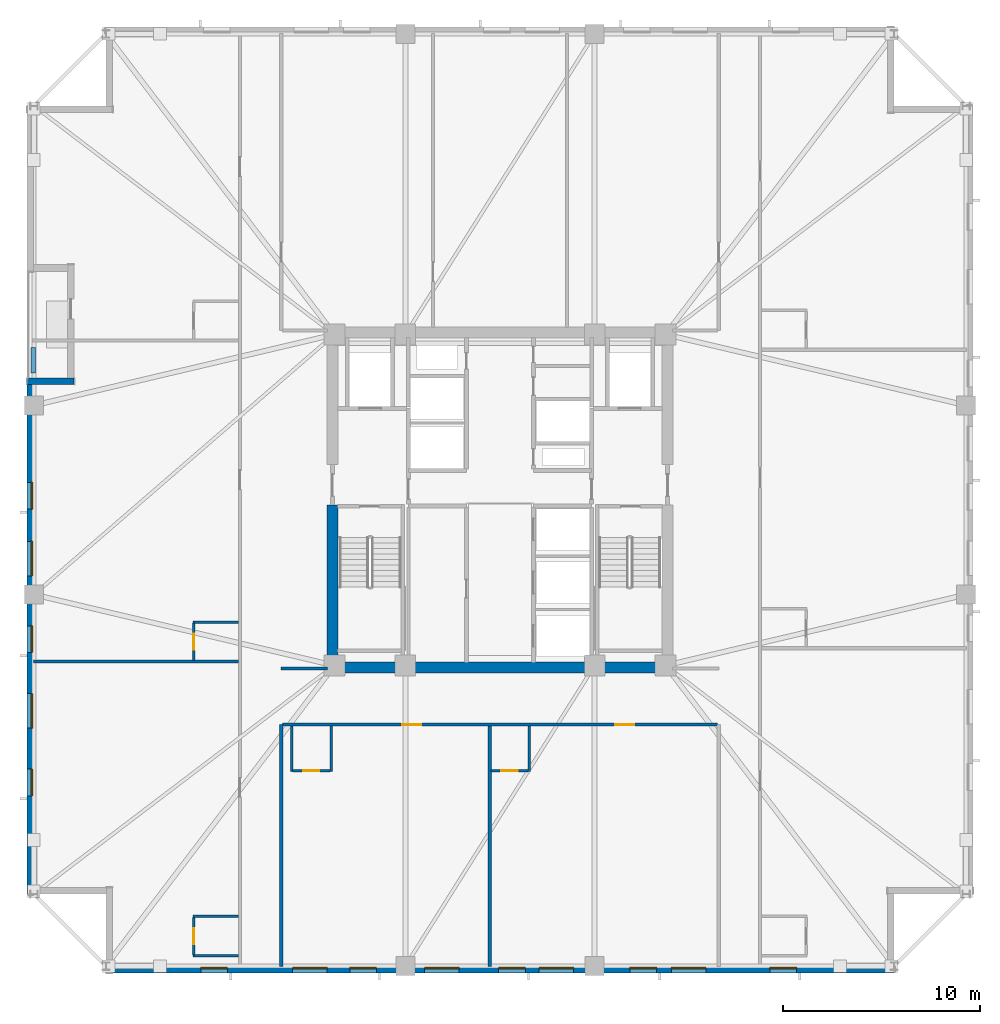
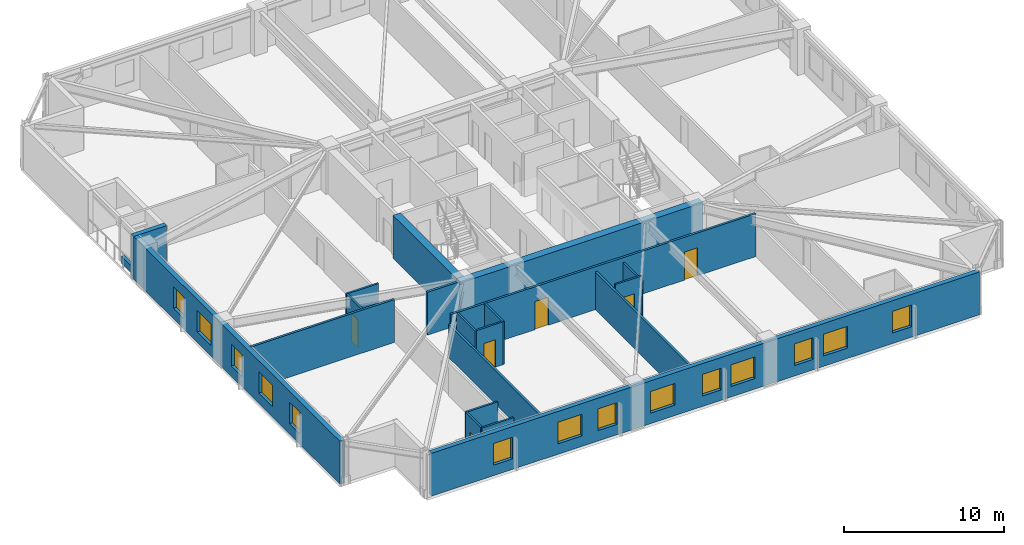
# One storey, part 2 of 10: 21 walls, 14 windows, 6 doors, 20 openings.
"""IFC4 building model written with IfcOpenShell, lengths in metres."""

from ifc_helpers import new_model, si_unit, direction, frame, frame_2d, origin, place, context, subcontext, project, spatial, rectangle, extrude, material, layer, layer_set, type_object, element, fill, save


model = new_model("IFC4")

# Units and contexts
model_context = context("Model", 3, precision=1e-05, world=origin(), true_north=direction((0.0, 1.0)))
body_context = subcontext(model_context, "Body", "Model", "MODEL_VIEW")
ifc_project = project(units=[si_unit("LENGTHUNIT", "METRE"), si_unit("AREAUNIT", "SQUARE_METRE"), si_unit("VOLUMEUNIT", "CUBIC_METRE"), si_unit("PLANEANGLEUNIT", "RADIAN"), si_unit("MASSUNIT", "GRAM", prefix="KILO")], contexts=[model_context])

# Site, building, storey
site_placement = place(None, origin())
site = spatial("IfcSite", under=ifc_project, at=site_placement, CompositionType="ELEMENT")
building_placement = place(site_placement, origin())
building = spatial("IfcBuilding", under=site, at=building_placement, Name="Cairnveth Concourse Tower", CompositionType="ELEMENT")
storey_placement = place(building_placement, frame((0.0, 0.0, 113.0)))
storey = spatial("IfcBuildingStorey", under=building, at=storey_placement, Name="L30", CompositionType="ELEMENT", Elevation=113.0)

# Walls
ifc_material_1 = material(Name="Gypsum Plasterboard Partition", Category="gypsum")
ifc_layer_1 = layer(ifc_material_1, 0.159912109375)
ifc_layer_set_1 = layer_set([ifc_layer_1], Name="Gypsum Plasterboard Partition")
wall_type_1 = type_object("IfcWallType", Name="ACOUSTIC PARTY WALL 180", PredefinedType="PARTITIONING", material=ifc_layer_set_1)
wall_1_placement = place(storey_placement, frame((40.89990234375, 15.324951171875, 0.0), z_axis=(0.0, 0.0, 1.0), x_axis=(0.0, 1.0, 0.0)))
element("IfcWall", 1, at=wall_1_placement, inside=storey, type_object=wall_type_1, Name="Interior Wall IW-L30-037", PredefinedType="PARTITIONING", context=body_context, shape_type="SweptSolid", body=[
    extrude(rectangle(XDim=12.275146484375, YDim=0.159912109375, at=frame_2d((6.1376953125, 0.0))), origin(), (0.0, 0.0, 1.0), 2.554931640625),
])
wall_2_placement = place(storey_placement, frame((40.89990234375, 30.449951171875, 0.0), z_axis=(0.0, 0.0, 1.0), x_axis=(1.0, 0.0, 0.0)))
element("IfcWall", 2, at=wall_2_placement, inside=storey, type_object=wall_type_1, Name="Interior Wall IW-L30-039", PredefinedType="PARTITIONING", context=body_context, shape_type="SweptSolid", body=[
    extrude(rectangle(XDim=2.335205078125, YDim=0.159912109375, at=frame_2d((1.16748046875, 0.0))), origin(), (0.0, 0.0, 1.0), 3.280029296875),
])

# Wall, openings, doors
wall_3_placement = place(storey_placement, frame((40.965087890625, 27.60009765625, 0.0), z_axis=(0.0, 0.0, 1.0), x_axis=(1.0, 0.0, 0.0)))
wall_3 = element("IfcWall", 3, at=wall_3_placement, inside=storey, type_object=wall_type_1, Name="Interior Wall IW-L30-046", PredefinedType="PARTITIONING", context=body_context, shape_type="SweptSolid", body=[
    extrude(rectangle(XDim=22.06982421875, YDim=0.159912109375, at=frame_2d((11.034912109375, 0.0))), origin(), (0.0, 0.0, 1.0), 3.280029296875),
])
opening_1_placement = place(wall_3_placement, frame((6.0849609375, 0.0, 0.0)))
opening_1 = element("IfcOpeningElement", 4, at=opening_1_placement, cuts=wall_3, Name="Opening ID09", PredefinedType="OPENING", context=body_context, shape_type="SweptSolid", body=[
    extrude(rectangle(XDim=0.9599609375, YDim=2.14990234375, at=frame_2d((0.47998046875, 1.074951171875))), frame((0.0, 0.08984375, 0.0), z_axis=(0.0, -1.0, 0.0), x_axis=(1.0, 0.0, 0.0)), (0.0, 0.0, 1.0), 0.179931640625),
])
opening_2_placement = place(wall_3_placement, frame((16.8798828125, 0.0, 0.0)))
opening_2 = element("IfcOpeningElement", 5, at=opening_2_placement, cuts=wall_3, Name="Opening ID09", PredefinedType="OPENING", context=body_context, shape_type="SweptSolid", body=[
    extrude(rectangle(XDim=0.9599609375, YDim=2.14990234375, at=frame_2d((0.47998046875, 1.074951171875))), frame((0.0, 0.08984375, 0.0), z_axis=(0.0, -1.0, 0.0), x_axis=(1.0, 0.0, 0.0)), (0.0, 0.0, 1.0), 0.179931640625),
])
ifc_material_2 = material(Name="Solid Core Hardwood Timber Leaf", Category="wood")
door_type_1 = type_object("IfcDoorType", Name="HOTEL ENTRANCE DOOR 960X2150", OperationType="NOTDEFINED", PredefinedType="DOOR", material=ifc_material_2)
door_1_placement = place(opening_1_placement, origin())
door_1 = element("IfcDoor", 6, at=door_1_placement, inside=storey, type_object=door_type_1, Name="Hotel Room Door L30-S1", OperationType="SINGLE_SWING_LEFT", OverallHeight=2.14990234375, OverallWidth=0.9599609375, PredefinedType="DOOR", context=body_context, shape_type="SweptSolid", body=[
    extrude(rectangle(XDim=0.9599609375, YDim=2.14990234375, at=frame_2d((0.47998046875, 1.074951171875))), frame((0.0, 0.02490234375, 0.0), z_axis=(0.0, -1.0, 0.0), x_axis=(1.0, 0.0, 0.0)), (0.0, 0.0, 1.0), 0.050048828125),
])
fill(opening_1, door_1)
door_2_placement = place(opening_2_placement, origin())
door_2 = element("IfcDoor", 7, at=door_2_placement, inside=storey, type_object=door_type_1, Name="Hotel Room Door L30-S2", OperationType="SINGLE_SWING_LEFT", OverallHeight=2.14990234375, OverallWidth=0.9599609375, PredefinedType="DOOR", context=body_context, shape_type="SweptSolid", body=[
    extrude(rectangle(XDim=0.9599609375, YDim=2.14990234375, at=frame_2d((0.47998046875, 1.074951171875))), frame((0.0, 0.02490234375, 0.0), z_axis=(0.0, -1.0, 0.0), x_axis=(1.0, 0.0, 0.0)), (0.0, 0.0, 1.0), 0.050048828125),
])
fill(opening_2, door_2)

# Walls
wall_4_placement = place(storey_placement, frame((51.47998046875, 15.324951171875, 0.0), z_axis=(0.0, 0.0, 1.0), x_axis=(0.0, 1.0, 0.0)))
element("IfcWall", 8, at=wall_4_placement, inside=storey, type_object=wall_type_1, Name="Interior Wall IW-L30-052", PredefinedType="PARTITIONING", context=body_context, shape_type="SweptSolid", body=[
    extrude(rectangle(XDim=12.195068359375, YDim=0.159912109375, at=frame_2d((6.09765625, 0.0))), origin(), (0.0, 0.0, 1.0), 2.89599609375),
])
wall_5_placement = place(storey_placement, frame((28.324951171875, 30.802001953125, 0.0), z_axis=(0.0, 0.0, 1.0), x_axis=(1.0, 0.0, 0.0)))
element("IfcWall", 9, at=wall_5_placement, inside=storey, type_object=wall_type_1, Name="Interior Wall IW-L30-058", PredefinedType="PARTITIONING", context=body_context, shape_type="SweptSolid", body=[
    extrude(rectangle(XDim=10.39501953125, YDim=0.159912109375, at=frame_2d((5.197509765625, 0.0))), origin(), (0.0, 0.0, 1.0), 3.280029296875),
])
ifc_material_3 = material(Name="Concrete N80 (80 MPa)", Category="concrete")
ifc_layer_2 = layer(ifc_material_3, 0.550048828125)
ifc_layer_set_2 = layer_set([ifc_layer_2], Name="Concrete N80 (80 MPa)")
wall_type_2 = type_object("IfcWallType", Name="CORE SHEAR WALL 550", PredefinedType="SHEAR", material=ifc_layer_set_2)
wall_6_placement = place(storey_placement, frame((43.22509765625, 30.5, 0.0), z_axis=(0.0, 0.0, 1.0), x_axis=(1.0, 0.0, 0.0)))
element("IfcWall", 10, at=wall_6_placement, inside=storey, type_object=wall_type_2, Name="Core South Shear Wall L30", PredefinedType="SHEAR", context=body_context, shape_type="SweptSolid", body=[
    extrude(rectangle(XDim=17.5498046875, YDim=0.550048828125, at=frame_2d((8.77490234375, 0.0))), origin(), (0.0, 0.0, 1.0), 3.280029296875),
])
wall_7_placement = place(storey_placement, frame((43.5, 30.764892578125, 0.0), z_axis=(0.0, 0.0, 1.0), x_axis=(0.0, 1.0, 0.0)))
element("IfcWall", 11, at=wall_7_placement, inside=storey, type_object=wall_type_2, Name="Core West Shear Wall S L30", PredefinedType="SHEAR", context=body_context, shape_type="SweptSolid", body=[
    extrude(rectangle(XDim=7.985107421875, YDim=0.550048828125, at=frame_2d((3.99267578125, 0.0))), origin(), (0.0, 0.0, 1.0), 3.280029296875),
])
ifc_material_4 = material(Name="Dressed Melbourne Bluestone Cladding", Category="masonry")
ifc_layer_3 = layer(ifc_material_4, 0.219970703125)
ifc_layer_set_3 = layer_set([ifc_layer_3], Name="Dressed Melbourne Bluestone Cladding")
wall_type_3 = type_object("IfcWallType", Name="TERRACE PLANTER CURB WALL 220", PredefinedType="PARAPET", material=ifc_layer_set_3)
wall_8_placement = place(storey_placement, frame((28.320068359375, 45.449951171875, 0.0), z_axis=(0.0, 0.0, 1.0), x_axis=(0.0, 1.0, 0.0)))
element("IfcWall", 12, at=wall_8_placement, inside=storey, type_object=wall_type_3, Name="Exterior Wall PLNT-L30-TERR", PredefinedType="PARAPET", context=body_context, shape_type="SweptSolid", body=[
    extrude(rectangle(XDim=1.300048828125, YDim=0.219970703125, at=frame_2d((0.64990234375, 0.0))), origin(), (0.0, 0.0, 1.0), 0.550048828125),
])
ifc_layer_4 = layer(ifc_material_1, 0.1298828125)
ifc_layer_set_4 = layer_set([ifc_layer_4], Name="Gypsum Plasterboard Partition")
wall_type_4 = type_object("IfcWallType", Name="WET AREA PARTITION 140", PredefinedType="PLUMBINGWALL", material=ifc_layer_set_4)
for number, where, z_axis, x_axis, name in (
    (13, (41.429931640625, 25.219970703125, 0.0), (0.0, 0.0, 1.0), (0.0, 1.0, 0.0), "Interior Wall IW-L30-049"),
    (14, (43.429931640625, 25.219970703125, 0.0), (0.0, 0.0, 1.0), (0.0, 1.0, 0.0), "Interior Wall IW-L30-050"),
):
    element("IfcWall", number, at=place(storey_placement, frame(where, z_axis=z_axis, x_axis=x_axis)), inside=storey, type_object=wall_type_4, Name=name, PredefinedType="PLUMBINGWALL", context=body_context, shape_type="SweptSolid", body=[
        extrude(rectangle(XDim=2.31494140625, YDim=0.1298828125, at=frame_2d((1.157470703125, 0.0))), origin(), (0.0, 0.0, 1.0), 3.280029296875),
    ])

# Wall, opening, door
wall_9_placement = place(storey_placement, frame((41.47998046875, 25.27001953125, 0.0), z_axis=(0.0, 0.0, 1.0), x_axis=(1.0, 0.0, 0.0)))
wall_9 = element("IfcWall", 15, at=wall_9_placement, inside=storey, type_object=wall_type_4, Name="Interior Wall IW-L30-051", PredefinedType="PLUMBINGWALL", context=body_context, shape_type="SweptSolid", body=[
    extrude(rectangle(XDim=1.89990234375, YDim=0.1298828125, at=frame_2d((0.949951171875, 0.0))), origin(), (0.0, 0.0, 1.0), 3.280029296875),
])
opening_3_placement = place(wall_9_placement, frame((0.5400390625, 0.0, 0.0)))
opening_3 = element("IfcOpeningElement", 16, at=opening_3_placement, cuts=wall_9, Name="Opening ID22", PredefinedType="OPENING", context=body_context, shape_type="SweptSolid", body=[
    extrude(rectangle(XDim=0.820068359375, YDim=2.10009765625, at=frame_2d((0.41015625, 1.050048828125))), frame((0.0, 0.074951171875, 0.0), z_axis=(0.0, -1.0, 0.0), x_axis=(1.0, 0.0, 0.0)), (0.0, 0.0, 1.0), 0.14990234375),
])
door_type_2 = type_object("IfcDoorType", Name="INTERIOR WC DOOR 820X2100", OperationType="NOTDEFINED", PredefinedType="DOOR", material=ifc_material_2)
door_3_placement = place(opening_3_placement, origin())
door_3 = element("IfcDoor", 17, at=door_3_placement, inside=storey, type_object=door_type_2, Name="En-Suite Door L30-S1", OperationType="SINGLE_SWING_RIGHT", OverallHeight=2.10009765625, OverallWidth=0.820068359375, PredefinedType="DOOR", context=body_context, shape_type="SweptSolid", body=[
    extrude(rectangle(XDim=0.820068359375, YDim=2.10009765625, at=frame_2d((0.41015625, 1.050048828125))), frame((0.0, 0.02490234375, 0.0), z_axis=(0.0, -1.0, 0.0), x_axis=(1.0, 0.0, 0.0)), (0.0, 0.0, 1.0), 0.050048828125),
])
fill(opening_3, door_3)

# Wall
wall_10_placement = place(storey_placement, frame((53.47998046875, 25.219970703125, 0.0), z_axis=(0.0, 0.0, 1.0), x_axis=(0.0, 1.0, 0.0)))
element("IfcWall", 18, at=wall_10_placement, inside=storey, type_object=wall_type_4, Name="Interior Wall IW-L30-053", PredefinedType="PLUMBINGWALL", context=body_context, shape_type="SweptSolid", body=[
    extrude(rectangle(XDim=2.31494140625, YDim=0.1298828125, at=frame_2d((1.157470703125, 0.0))), origin(), (0.0, 0.0, 1.0), 2.89599609375),
])

# Wall, opening, door
wall_11_placement = place(storey_placement, frame((51.544921875, 25.27001953125, 0.0), z_axis=(0.0, 0.0, 1.0), x_axis=(1.0, 0.0, 0.0)))
wall_11 = element("IfcWall", 19, at=wall_11_placement, inside=storey, type_object=wall_type_4, Name="Interior Wall IW-L30-054", PredefinedType="PLUMBINGWALL", context=body_context, shape_type="SweptSolid", body=[
    extrude(rectangle(XDim=1.885009765625, YDim=0.1298828125, at=frame_2d((0.9423828125, 0.0))), origin(), (0.0, 0.0, 1.0), 3.280029296875),
])
opening_4_placement = place(wall_11_placement, frame((0.52490234375, 0.0, 0.0)))
opening_4 = element("IfcOpeningElement", 20, at=opening_4_placement, cuts=wall_11, Name="Opening ID22", PredefinedType="OPENING", context=body_context, shape_type="SweptSolid", body=[
    extrude(rectangle(XDim=0.820068359375, YDim=2.10009765625, at=frame_2d((0.41015625, 1.050048828125))), frame((0.0, 0.074951171875, 0.0), z_axis=(0.0, -1.0, 0.0), x_axis=(1.0, 0.0, 0.0)), (0.0, 0.0, 1.0), 0.14990234375),
])
door_4_placement = place(opening_4_placement, origin())
door_4 = element("IfcDoor", 21, at=door_4_placement, inside=storey, type_object=door_type_2, Name="En-Suite Door L30-S2", OperationType="SINGLE_SWING_RIGHT", OverallHeight=2.10009765625, OverallWidth=0.820068359375, PredefinedType="DOOR", context=body_context, shape_type="SweptSolid", body=[
    extrude(rectangle(XDim=0.820068359375, YDim=2.10009765625, at=frame_2d((0.41015625, 1.050048828125))), frame((0.0, 0.02490234375, 0.0), z_axis=(0.0, -1.0, 0.0), x_axis=(1.0, 0.0, 0.0)), (0.0, 0.0, 1.0), 0.050048828125),
])
fill(opening_4, door_4)

# Walls
for number, where, z_axis, x_axis, name in (
    (22, (36.419921875, 15.8701171875, 0.0), (0.0, 0.0, 1.0), (1.0, 0.0, 0.0), "Interior Wall IW-L30-055"),
    (23, (36.419921875, 17.8701171875, 0.0), (0.0, 0.0, 1.0), (1.0, 0.0, 0.0), "Interior Wall IW-L30-056"),
):
    element("IfcWall", number, at=place(storey_placement, frame(where, z_axis=z_axis, x_axis=x_axis)), inside=storey, type_object=wall_type_4, Name=name, PredefinedType="PLUMBINGWALL", context=body_context, shape_type="SweptSolid", body=[
        extrude(rectangle(XDim=2.315185546875, YDim=0.1298828125, at=frame_2d((1.15771484375, 0.0))), origin(), (0.0, 0.0, 1.0), 3.280029296875),
    ])

# Wall, opening, door
wall_12_placement = place(storey_placement, frame((36.469970703125, 15.919921875, 0.0), z_axis=(0.0, 0.0, 1.0), x_axis=(0.0, 1.0, 0.0)))
wall_12 = element("IfcWall", 24, at=wall_12_placement, inside=storey, type_object=wall_type_4, Name="Interior Wall IW-L30-057", PredefinedType="PLUMBINGWALL", context=body_context, shape_type="SweptSolid", body=[
    extrude(rectangle(XDim=1.900146484375, YDim=0.1298828125, at=frame_2d((0.9501953125, 0.0))), origin(), (0.0, 0.0, 1.0), 3.280029296875),
])
opening_5_placement = place(wall_12_placement, frame((0.5400390625, 0.0, 0.0)))
opening_5 = element("IfcOpeningElement", 25, at=opening_5_placement, cuts=wall_12, Name="Opening ID22", PredefinedType="OPENING", context=body_context, shape_type="SweptSolid", body=[
    extrude(rectangle(XDim=0.820068359375, YDim=2.10009765625, at=frame_2d((0.41015625, 1.050048828125))), frame((0.0, 0.074951171875, 0.0), z_axis=(0.0, -1.0, 0.0), x_axis=(1.0, 0.0, 0.0)), (0.0, 0.0, 1.0), 0.14990234375),
])
door_5_placement = place(opening_5_placement, origin())
door_5 = element("IfcDoor", 26, at=door_5_placement, inside=storey, type_object=door_type_2, Name="En-Suite Door L30-W1", OperationType="SINGLE_SWING_RIGHT", OverallHeight=2.10009765625, OverallWidth=0.820068359375, PredefinedType="DOOR", context=body_context, shape_type="SweptSolid", body=[
    extrude(rectangle(XDim=0.820068359375, YDim=2.10009765625, at=frame_2d((0.41015625, 1.050048828125))), frame((0.0, 0.02490234375, 0.0), z_axis=(0.0, -1.0, 0.0), x_axis=(1.0, 0.0, 0.0)), (0.0, 0.0, 1.0), 0.050048828125),
])
fill(opening_5, door_5)

# Wall
wall_13_placement = place(storey_placement, frame((36.419921875, 32.802001953125, 0.0), z_axis=(0.0, 0.0, 1.0), x_axis=(1.0, 0.0, 0.0)))
element("IfcWall", 27, at=wall_13_placement, inside=storey, type_object=wall_type_4, Name="Interior Wall IW-L30-059", PredefinedType="PLUMBINGWALL", context=body_context, shape_type="SweptSolid", body=[
    extrude(rectangle(XDim=2.315185546875, YDim=0.1298828125, at=frame_2d((1.15771484375, 0.0))), origin(), (0.0, 0.0, 1.0), 3.280029296875),
])

# Wall, opening, door
wall_14_placement = place(storey_placement, frame((36.469970703125, 30.866943359375, 0.0), z_axis=(0.0, 0.0, 1.0), x_axis=(0.0, 1.0, 0.0)))
wall_14 = element("IfcWall", 28, at=wall_14_placement, inside=storey, type_object=wall_type_4, Name="Interior Wall IW-L30-060", PredefinedType="PLUMBINGWALL", context=body_context, shape_type="SweptSolid", body=[
    extrude(rectangle(XDim=1.885009765625, YDim=0.1298828125, at=frame_2d((0.9423828125, 0.0))), origin(), (0.0, 0.0, 1.0), 3.280029296875),
])
opening_6_placement = place(wall_14_placement, frame((0.52490234375, 0.0, 0.0)))
opening_6 = element("IfcOpeningElement", 29, at=opening_6_placement, cuts=wall_14, Name="Opening ID22", PredefinedType="OPENING", context=body_context, shape_type="SweptSolid", body=[
    extrude(rectangle(XDim=0.820068359375, YDim=2.10009765625, at=frame_2d((0.41015625, 1.050048828125))), frame((0.0, 0.074951171875, 0.0), z_axis=(0.0, -1.0, 0.0), x_axis=(1.0, 0.0, 0.0)), (0.0, 0.0, 1.0), 0.14990234375),
])
door_6_placement = place(opening_6_placement, origin())
door_6 = element("IfcDoor", 30, at=door_6_placement, inside=storey, type_object=door_type_2, Name="En-Suite Door L30-W2", OperationType="SINGLE_SWING_RIGHT", OverallHeight=2.10009765625, OverallWidth=0.820068359375, PredefinedType="DOOR", context=body_context, shape_type="SweptSolid", body=[
    extrude(rectangle(XDim=0.820068359375, YDim=2.10009765625, at=frame_2d((0.41015625, 1.050048828125))), frame((0.0, 0.02490234375, 0.0), z_axis=(0.0, -1.0, 0.0), x_axis=(1.0, 0.0, 0.0)), (0.0, 0.0, 1.0), 0.050048828125),
])
fill(opening_6, door_6)

# Wall, openings, windows
ifc_material_5 = material(Name="Hawthorn Red-Ochre Fired Clay Brick Masonry", Category="masonry")
ifc_layer_5 = layer(ifc_material_5, 0.340087890625)
ifc_layer_set_5 = layer_set([ifc_layer_5], Name="Hawthorn Red-Ochre Fired Clay Brick Masonry")
wall_type_5 = type_object("IfcWallType", Name="ZONE 2 BRICK PIER SPANDREL WALL 340", PredefinedType="SOLIDWALL", material=ifc_layer_set_5)
wall_15_placement = place(storey_placement, frame((72.0, 15.169921875, 0.0), z_axis=(0.0, 0.0, 1.0), x_axis=(-1.0, 0.0, 0.0)))
wall_15 = element("IfcWall", 31, at=wall_15_placement, inside=storey, type_object=wall_type_5, Name="Exterior Wall EW-L30-S09", PredefinedType="SOLIDWALL", context=body_context, shape_type="SweptSolid", body=[
    extrude(rectangle(XDim=39.681884765625, YDim=0.340087890625, at=frame_2d((19.8408203125, 0.0))), origin(), (0.0, 0.0, 1.0), 3.280029296875),
])
opening_7_placement = place(wall_15_placement, frame((4.951904296875, 0.0, 0.800048828125)))
opening_7 = element("IfcOpeningElement", 32, at=opening_7_placement, cuts=wall_15, Name="Opening W02", PredefinedType="OPENING", context=body_context, shape_type="SweptSolid", body=[
    extrude(rectangle(XDim=1.35009765625, YDim=1.659912109375, at=frame_2d((0.675048828125, 0.830078125))), frame((0.0, 0.179931640625, 0.0), z_axis=(0.0, -1.0, 0.0), x_axis=(1.0, 0.0, 0.0)), (0.0, 0.0, 1.0), 0.360107421875),
])
opening_8_placement = place(wall_15_placement, frame((9.555419921875, 0.0, 0.800048828125)))
opening_8 = element("IfcOpeningElement", 33, at=opening_8_placement, cuts=wall_15, Name="Opening W06", PredefinedType="OPENING", context=body_context, shape_type="SweptSolid", body=[
    extrude(rectangle(XDim=1.75, YDim=1.659912109375, at=frame_2d((0.875, 0.830078125))), frame((0.0, 0.179931640625, 0.0), z_axis=(0.0, -1.0, 0.0), x_axis=(1.0, 0.0, 0.0)), (0.0, 0.0, 1.0), 0.360107421875),
])
opening_9_placement = place(wall_15_placement, frame((12.058837890625, 0.0, 0.800048828125)))
opening_9 = element("IfcOpeningElement", 34, at=opening_9_placement, cuts=wall_15, Name="Opening W02", PredefinedType="OPENING", context=body_context, shape_type="SweptSolid", body=[
    extrude(rectangle(XDim=1.35009765625, YDim=1.659912109375, at=frame_2d((0.675048828125, 0.830078125))), frame((0.0, 0.179931640625, 0.0), z_axis=(0.0, -1.0, 0.0), x_axis=(1.0, 0.0, 0.0)), (0.0, 0.0, 1.0), 0.360107421875),
])
opening_10_placement = place(wall_15_placement, frame((16.262451171875, 0.0, 0.800048828125)))
opening_10 = element("IfcOpeningElement", 35, at=opening_10_placement, cuts=wall_15, Name="Opening W06", PredefinedType="OPENING", context=body_context, shape_type="SweptSolid", body=[
    extrude(rectangle(XDim=1.75, YDim=1.659912109375, at=frame_2d((0.875, 0.830078125))), frame((0.0, 0.179931640625, 0.0), z_axis=(0.0, -1.0, 0.0), x_axis=(1.0, 0.0, 0.0)), (0.0, 0.0, 1.0), 0.360107421875),
])
opening_11_placement = place(wall_15_placement, frame((18.716064453125, 0.0, 0.800048828125)))
opening_11 = element("IfcOpeningElement", 36, at=opening_11_placement, cuts=wall_15, Name="Opening W02", PredefinedType="OPENING", context=body_context, shape_type="SweptSolid", body=[
    extrude(rectangle(XDim=1.35009765625, YDim=1.659912109375, at=frame_2d((0.675048828125, 0.830078125))), frame((0.0, 0.179931640625, 0.0), z_axis=(0.0, -1.0, 0.0), x_axis=(1.0, 0.0, 0.0)), (0.0, 0.0, 1.0), 0.360107421875),
])
opening_12_placement = place(wall_15_placement, frame((22.069580078125, 0.0, 0.800048828125)))
opening_12 = element("IfcOpeningElement", 37, at=opening_12_placement, cuts=wall_15, Name="Opening W06", PredefinedType="OPENING", context=body_context, shape_type="SweptSolid", body=[
    extrude(rectangle(XDim=1.75, YDim=1.659912109375, at=frame_2d((0.875, 0.830078125))), frame((0.0, 0.179931640625, 0.0), z_axis=(0.0, -1.0, 0.0), x_axis=(1.0, 0.0, 0.0)), (0.0, 0.0, 1.0), 0.360107421875),
])
opening_13_placement = place(wall_15_placement, frame((26.273193359375, 0.0, 0.800048828125)))
opening_13 = element("IfcOpeningElement", 38, at=opening_13_placement, cuts=wall_15, Name="Opening W02", PredefinedType="OPENING", context=body_context, shape_type="SweptSolid", body=[
    extrude(rectangle(XDim=1.35009765625, YDim=1.659912109375, at=frame_2d((0.675048828125, 0.830078125))), frame((0.0, 0.179931640625, 0.0), z_axis=(0.0, -1.0, 0.0), x_axis=(1.0, 0.0, 0.0)), (0.0, 0.0, 1.0), 0.360107421875),
])
opening_14_placement = place(wall_15_placement, frame((28.776611328125, 0.0, 0.800048828125)))
opening_14 = element("IfcOpeningElement", 39, at=opening_14_placement, cuts=wall_15, Name="Opening W06", PredefinedType="OPENING", context=body_context, shape_type="SweptSolid", body=[
    extrude(rectangle(XDim=1.75, YDim=1.659912109375, at=frame_2d((0.875, 0.830078125))), frame((0.0, 0.179931640625, 0.0), z_axis=(0.0, -1.0, 0.0), x_axis=(1.0, 0.0, 0.0)), (0.0, 0.0, 1.0), 0.360107421875),
])
opening_15_placement = place(wall_15_placement, frame((33.830078125, 0.0, 0.800048828125)))
opening_15 = element("IfcOpeningElement", 40, at=opening_15_placement, cuts=wall_15, Name="Opening W02", PredefinedType="OPENING", context=body_context, shape_type="SweptSolid", body=[
    extrude(rectangle(XDim=1.35009765625, YDim=1.659912109375, at=frame_2d((0.675048828125, 0.830078125))), frame((0.0, 0.179931640625, 0.0), z_axis=(0.0, -1.0, 0.0), x_axis=(1.0, 0.0, 0.0)), (0.0, 0.0, 1.0), 0.360107421875),
])
ifc_material_6 = material(Name="Double Glazed Low-E Clear Glass", Category="glass")
window_type_1 = type_object("IfcWindowType", Name="DEEP-SET GOTHIC LANCET WINDOW 1350X1800", PartitioningType="DOUBLE_PANEL_VERTICAL", PredefinedType="WINDOW", material=ifc_material_6)
window_1_placement = place(opening_7_placement, origin())
window_1 = element("IfcWindow", 41, at=window_1_placement, inside=storey, type_object=window_type_1, Name="Gothic Lancet Window L30-9-1", OverallHeight=1.659912109375, OverallWidth=1.35009765625, PartitioningType="SINGLE_PANEL", PredefinedType="WINDOW", context=body_context, shape_type="SweptSolid", body=[
    extrude(rectangle(XDim=1.35009765625, YDim=1.659912109375, at=frame_2d((0.675048828125, 0.830078125))), frame((0.0, -0.050048828125, 0.0), z_axis=(0.0, -1.0, 0.0), x_axis=(1.0, 0.0, 0.0)), (0.0, 0.0, 1.0), 0.06005859375),
])
fill(opening_7, window_1)
window_2_placement = place(opening_9_placement, origin())
window_2 = element("IfcWindow", 42, at=window_2_placement, inside=storey, type_object=window_type_1, Name="Gothic Lancet Window L30-9-3", OverallHeight=1.659912109375, OverallWidth=1.35009765625, PartitioningType="SINGLE_PANEL", PredefinedType="WINDOW", context=body_context, shape_type="SweptSolid", body=[
    extrude(rectangle(XDim=1.35009765625, YDim=1.659912109375, at=frame_2d((0.675048828125, 0.830078125))), frame((0.0, -0.050048828125, 0.0), z_axis=(0.0, -1.0, 0.0), x_axis=(1.0, 0.0, 0.0)), (0.0, 0.0, 1.0), 0.06005859375),
])
fill(opening_9, window_2)
window_3_placement = place(opening_11_placement, origin())
window_3 = element("IfcWindow", 43, at=window_3_placement, inside=storey, type_object=window_type_1, Name="Gothic Lancet Window L30-9-5", OverallHeight=1.659912109375, OverallWidth=1.35009765625, PartitioningType="SINGLE_PANEL", PredefinedType="WINDOW", context=body_context, shape_type="SweptSolid", body=[
    extrude(rectangle(XDim=1.35009765625, YDim=1.659912109375, at=frame_2d((0.675048828125, 0.830078125))), frame((0.0, -0.050048828125, 0.0), z_axis=(0.0, -1.0, 0.0), x_axis=(1.0, 0.0, 0.0)), (0.0, 0.0, 1.0), 0.06005859375),
])
fill(opening_11, window_3)
window_4_placement = place(opening_13_placement, origin())
window_4 = element("IfcWindow", 44, at=window_4_placement, inside=storey, type_object=window_type_1, Name="Gothic Lancet Window L30-9-7", OverallHeight=1.659912109375, OverallWidth=1.35009765625, PartitioningType="SINGLE_PANEL", PredefinedType="WINDOW", context=body_context, shape_type="SweptSolid", body=[
    extrude(rectangle(XDim=1.35009765625, YDim=1.659912109375, at=frame_2d((0.675048828125, 0.830078125))), frame((0.0, -0.050048828125, 0.0), z_axis=(0.0, -1.0, 0.0), x_axis=(1.0, 0.0, 0.0)), (0.0, 0.0, 1.0), 0.06005859375),
])
fill(opening_13, window_4)
window_5_placement = place(opening_15_placement, origin())
window_5 = element("IfcWindow", 45, at=window_5_placement, inside=storey, type_object=window_type_1, Name="Gothic Lancet Window L30-9-9", OverallHeight=1.659912109375, OverallWidth=1.35009765625, PartitioningType="SINGLE_PANEL", PredefinedType="WINDOW", context=body_context, shape_type="SweptSolid", body=[
    extrude(rectangle(XDim=1.35009765625, YDim=1.659912109375, at=frame_2d((0.675048828125, 0.830078125))), frame((0.0, -0.050048828125, 0.0), z_axis=(0.0, -1.0, 0.0), x_axis=(1.0, 0.0, 0.0)), (0.0, 0.0, 1.0), 0.06005859375),
])
fill(opening_15, window_5)
window_type_2 = type_object("IfcWindowType", Name="DEEP-SET HOTEL SUITE WINDOW 1750X1800", PartitioningType="DOUBLE_PANEL_VERTICAL", PredefinedType="WINDOW", material=ifc_material_6)
window_6_placement = place(opening_8_placement, origin())
window_6 = element("IfcWindow", 46, at=window_6_placement, inside=storey, type_object=window_type_2, Name="Gothic Lancet Window L30-9-2", OverallHeight=1.659912109375, OverallWidth=1.75, PartitioningType="SINGLE_PANEL", PredefinedType="WINDOW", context=body_context, shape_type="SweptSolid", body=[
    extrude(rectangle(XDim=1.75, YDim=1.659912109375, at=frame_2d((0.875, 0.830078125))), frame((0.0, -0.050048828125, 0.0), z_axis=(0.0, -1.0, 0.0), x_axis=(1.0, 0.0, 0.0)), (0.0, 0.0, 1.0), 0.06005859375),
])
fill(opening_8, window_6)
window_7_placement = place(opening_10_placement, origin())
window_7 = element("IfcWindow", 47, at=window_7_placement, inside=storey, type_object=window_type_2, Name="Gothic Lancet Window L30-9-4", OverallHeight=1.659912109375, OverallWidth=1.75, PartitioningType="SINGLE_PANEL", PredefinedType="WINDOW", context=body_context, shape_type="SweptSolid", body=[
    extrude(rectangle(XDim=1.75, YDim=1.659912109375, at=frame_2d((0.875, 0.830078125))), frame((0.0, -0.050048828125, 0.0), z_axis=(0.0, -1.0, 0.0), x_axis=(1.0, 0.0, 0.0)), (0.0, 0.0, 1.0), 0.06005859375),
])
fill(opening_10, window_7)
window_8_placement = place(opening_12_placement, origin())
window_8 = element("IfcWindow", 48, at=window_8_placement, inside=storey, type_object=window_type_2, Name="Gothic Lancet Window L30-9-6", OverallHeight=1.659912109375, OverallWidth=1.75, PartitioningType="SINGLE_PANEL", PredefinedType="WINDOW", context=body_context, shape_type="SweptSolid", body=[
    extrude(rectangle(XDim=1.75, YDim=1.659912109375, at=frame_2d((0.875, 0.830078125))), frame((0.0, -0.050048828125, 0.0), z_axis=(0.0, -1.0, 0.0), x_axis=(1.0, 0.0, 0.0)), (0.0, 0.0, 1.0), 0.06005859375),
])
fill(opening_12, window_8)
window_9_placement = place(opening_14_placement, origin())
window_9 = element("IfcWindow", 49, at=window_9_placement, inside=storey, type_object=window_type_2, Name="Gothic Lancet Window L30-9-8", OverallHeight=1.659912109375, OverallWidth=1.75, PartitioningType="SINGLE_PANEL", PredefinedType="WINDOW", context=body_context, shape_type="SweptSolid", body=[
    extrude(rectangle(XDim=1.75, YDim=1.659912109375, at=frame_2d((0.875, 0.830078125))), frame((0.0, -0.050048828125, 0.0), z_axis=(0.0, -1.0, 0.0), x_axis=(1.0, 0.0, 0.0)), (0.0, 0.0, 1.0), 0.06005859375),
])
fill(opening_14, window_9)

wall_16_placement = place(storey_placement, frame((28.169921875, 19.0, 0.0), z_axis=(0.0, 0.0, 1.0), x_axis=(0.0, 1.0, 0.0)))
wall_16 = element("IfcWall", 50, at=wall_16_placement, inside=storey, type_object=wall_type_5, Name="Exterior Wall EW-L30-S12", PredefinedType="SOLIDWALL", context=body_context, shape_type="SweptSolid", body=[
    extrude(rectangle(XDim=25.882080078125, YDim=0.340087890625, at=frame_2d((12.94091796875, 0.0))), origin(), (0.0, 0.0, 1.0), 3.280029296875),
])
opening_16_placement = place(wall_16_placement, frame((4.9931640625, 0.0, 0.800048828125)))
opening_16 = element("IfcOpeningElement", 51, at=opening_16_placement, cuts=wall_16, Name="Opening W02", PredefinedType="OPENING", context=body_context, shape_type="SweptSolid", body=[
    extrude(rectangle(XDim=1.35009765625, YDim=1.659912109375, at=frame_2d((0.675048828125, 0.830078125))), frame((0.0, 0.179931640625, 0.0), z_axis=(0.0, -1.0, 0.0), x_axis=(1.0, 0.0, 0.0)), (0.0, 0.0, 1.0), 0.360107421875),
])
opening_17_placement = place(wall_16_placement, frame((8.4296875, 0.0, 0.800048828125)))
opening_17 = element("IfcOpeningElement", 52, at=opening_17_placement, cuts=wall_16, Name="Opening W06", PredefinedType="OPENING", context=body_context, shape_type="SweptSolid", body=[
    extrude(rectangle(XDim=1.75, YDim=1.659912109375, at=frame_2d((0.875, 0.830078125))), frame((0.0, 0.179931640625, 0.0), z_axis=(0.0, -1.0, 0.0), x_axis=(1.0, 0.0, 0.0)), (0.0, 0.0, 1.0), 0.360107421875),
])
opening_18_placement = place(wall_16_placement, frame((12.26611328125, 0.0, 0.800048828125)))
opening_18 = element("IfcOpeningElement", 53, at=opening_18_placement, cuts=wall_16, Name="Opening W02", PredefinedType="OPENING", context=body_context, shape_type="SweptSolid", body=[
    extrude(rectangle(XDim=1.35009765625, YDim=1.659912109375, at=frame_2d((0.675048828125, 0.830078125))), frame((0.0, 0.179931640625, 0.0), z_axis=(0.0, -1.0, 0.0), x_axis=(1.0, 0.0, 0.0)), (0.0, 0.0, 1.0), 0.360107421875),
])
opening_19_placement = place(wall_16_placement, frame((16.15234375, 0.0, 0.800048828125)))
opening_19 = element("IfcOpeningElement", 54, at=opening_19_placement, cuts=wall_16, Name="Opening W06", PredefinedType="OPENING", context=body_context, shape_type="SweptSolid", body=[
    extrude(rectangle(XDim=1.75, YDim=1.659912109375, at=frame_2d((0.875, 0.830078125))), frame((0.0, 0.179931640625, 0.0), z_axis=(0.0, -1.0, 0.0), x_axis=(1.0, 0.0, 0.0)), (0.0, 0.0, 1.0), 0.360107421875),
])
opening_20_placement = place(wall_16_placement, frame((19.538818359375, 0.0, 0.800048828125)))
opening_20 = element("IfcOpeningElement", 55, at=opening_20_placement, cuts=wall_16, Name="Opening W02", PredefinedType="OPENING", context=body_context, shape_type="SweptSolid", body=[
    extrude(rectangle(XDim=1.35009765625, YDim=1.659912109375, at=frame_2d((0.675048828125, 0.830078125))), frame((0.0, 0.179931640625, 0.0), z_axis=(0.0, -1.0, 0.0), x_axis=(1.0, 0.0, 0.0)), (0.0, 0.0, 1.0), 0.360107421875),
])
window_10_placement = place(opening_16_placement, origin())
window_10 = element("IfcWindow", 56, at=window_10_placement, inside=storey, type_object=window_type_1, Name="Gothic Lancet Window L30-12-1", OverallHeight=1.659912109375, OverallWidth=1.35009765625, PartitioningType="SINGLE_PANEL", PredefinedType="WINDOW", context=body_context, shape_type="SweptSolid", body=[
    extrude(rectangle(XDim=1.35009765625, YDim=1.659912109375, at=frame_2d((0.675048828125, 0.830078125))), frame((0.0, -0.050048828125, 0.0), z_axis=(0.0, -1.0, 0.0), x_axis=(1.0, 0.0, 0.0)), (0.0, 0.0, 1.0), 0.06005859375),
])
fill(opening_16, window_10)
window_11_placement = place(opening_18_placement, origin())
window_11 = element("IfcWindow", 57, at=window_11_placement, inside=storey, type_object=window_type_1, Name="Gothic Lancet Window L30-12-3", OverallHeight=1.659912109375, OverallWidth=1.35009765625, PartitioningType="SINGLE_PANEL", PredefinedType="WINDOW", context=body_context, shape_type="SweptSolid", body=[
    extrude(rectangle(XDim=1.35009765625, YDim=1.659912109375, at=frame_2d((0.675048828125, 0.830078125))), frame((0.0, -0.050048828125, 0.0), z_axis=(0.0, -1.0, 0.0), x_axis=(1.0, 0.0, 0.0)), (0.0, 0.0, 1.0), 0.06005859375),
])
fill(opening_18, window_11)
window_12_placement = place(opening_20_placement, origin())
window_12 = element("IfcWindow", 58, at=window_12_placement, inside=storey, type_object=window_type_1, Name="Gothic Lancet Window L30-12-5", OverallHeight=1.659912109375, OverallWidth=1.35009765625, PartitioningType="SINGLE_PANEL", PredefinedType="WINDOW", context=body_context, shape_type="SweptSolid", body=[
    extrude(rectangle(XDim=1.35009765625, YDim=1.659912109375, at=frame_2d((0.675048828125, 0.830078125))), frame((0.0, -0.050048828125, 0.0), z_axis=(0.0, -1.0, 0.0), x_axis=(1.0, 0.0, 0.0)), (0.0, 0.0, 1.0), 0.06005859375),
])
fill(opening_20, window_12)
window_13_placement = place(opening_17_placement, origin())
window_13 = element("IfcWindow", 59, at=window_13_placement, inside=storey, type_object=window_type_2, Name="Gothic Lancet Window L30-12-2", OverallHeight=1.659912109375, OverallWidth=1.75, PartitioningType="SINGLE_PANEL", PredefinedType="WINDOW", context=body_context, shape_type="SweptSolid", body=[
    extrude(rectangle(XDim=1.75, YDim=1.659912109375, at=frame_2d((0.875, 0.830078125))), frame((0.0, -0.050048828125, 0.0), z_axis=(0.0, -1.0, 0.0), x_axis=(1.0, 0.0, 0.0)), (0.0, 0.0, 1.0), 0.06005859375),
])
fill(opening_17, window_13)
window_14_placement = place(opening_19_placement, origin())
window_14 = element("IfcWindow", 60, at=window_14_placement, inside=storey, type_object=window_type_2, Name="Gothic Lancet Window L30-12-4", OverallHeight=1.659912109375, OverallWidth=1.75, PartitioningType="SINGLE_PANEL", PredefinedType="WINDOW", context=body_context, shape_type="SweptSolid", body=[
    extrude(rectangle(XDim=1.75, YDim=1.659912109375, at=frame_2d((0.875, 0.830078125))), frame((0.0, -0.050048828125, 0.0), z_axis=(0.0, -1.0, 0.0), x_axis=(1.0, 0.0, 0.0)), (0.0, 0.0, 1.0), 0.06005859375),
])
fill(opening_19, window_14)

# Wall
wall_17_placement = place(storey_placement, frame((28.0, 45.030029296875, 0.0), z_axis=(0.0, 0.0, 1.0), x_axis=(1.0, 0.0, 0.0)))
element("IfcWall", 61, at=wall_17_placement, inside=storey, type_object=wall_type_5, Name="Exterior Wall EW-L30-S13", PredefinedType="SOLIDWALL", context=body_context, shape_type="SweptSolid", body=[
    extrude(rectangle(XDim=2.389892578125, YDim=0.340087890625, at=frame_2d((1.19482421875, 0.0))), origin(), (0.0, 0.0, 1.0), 3.280029296875),
])

save(model, "model.ifc")
